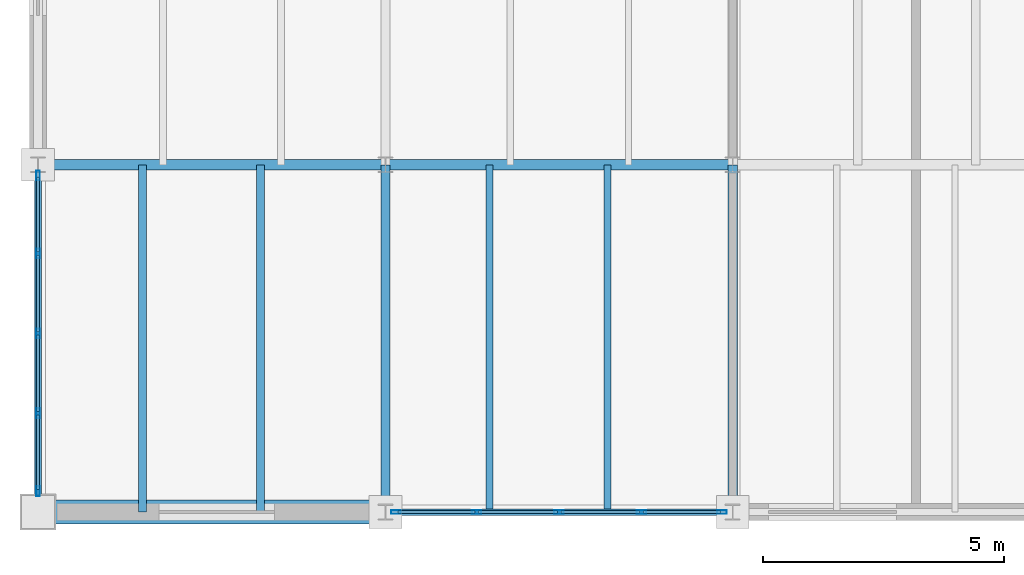
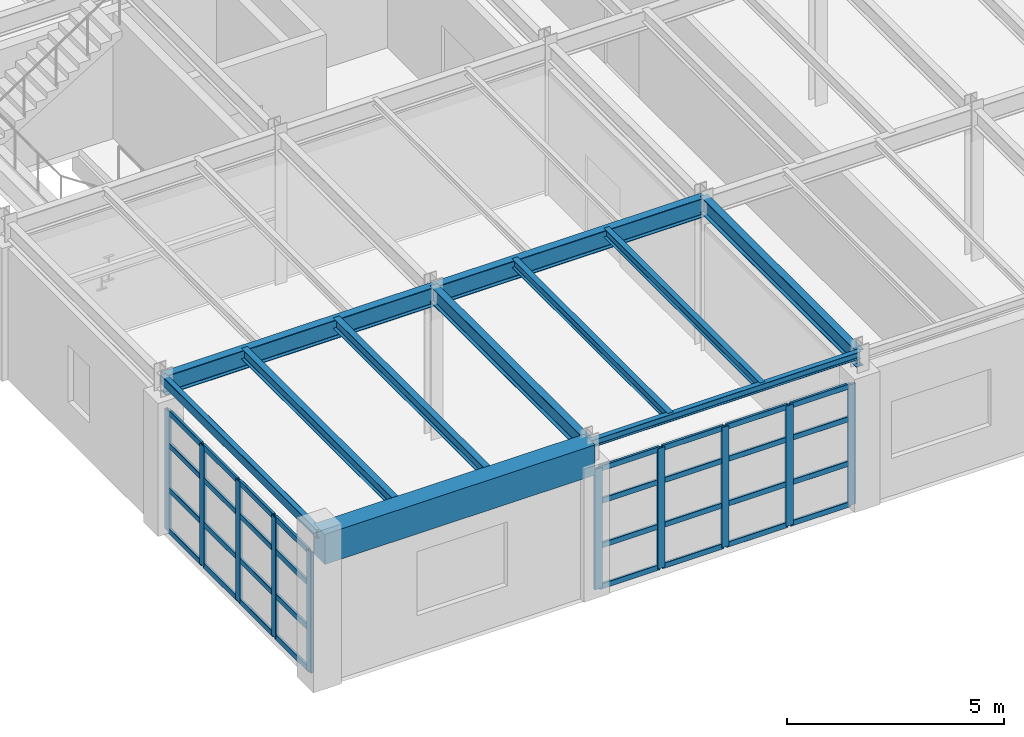
# One storey, part 21 of 137: 42 members, 11 beams, 2 elements without a shape of their own.
"""IFC4 building model written with IfcOpenShell, lengths in metres."""

from ifc_helpers import new_model, si_unit, direction, frame, origin, origin_2d, place, context, subcontext, project, spatial, rectangle, hollow_rectangle, i_section, extrude, material, layer, layer_set, material_profile, profile_set, type_object, element, aggregate, save


model = new_model("IFC4")

# Units and contexts
model_context = context("Model", 3, precision=1e-05, world=origin(), true_north=direction((0.0, 1.0)))
body_context = subcontext(model_context, "Body", "Model", "MODEL_VIEW")
ifc_project = project(units=[si_unit("LENGTHUNIT", "METRE"), si_unit("AREAUNIT", "SQUARE_METRE"), si_unit("VOLUMEUNIT", "CUBIC_METRE"), si_unit("PLANEANGLEUNIT", "RADIAN"), si_unit("MASSUNIT", "GRAM", prefix="KILO")], contexts=[model_context])

# Site, building, storey
site_placement = place(None, origin())
site = spatial("IfcSite", under=ifc_project, at=site_placement, CompositionType="ELEMENT")
building_placement = place(site_placement, origin())
building = spatial("IfcBuilding", under=site, at=building_placement, Name="Kemerveld Promenade Tramway Depot", CompositionType="ELEMENT")
storey_placement = place(building_placement, frame((0.0, 0.0, 5.39990234375)))
storey = spatial("IfcBuildingStorey", under=building, at=storey_placement, Name="L01", CompositionType="ELEMENT", Elevation=5.39990234375)

# Beams
ifc_material_1 = material(Name="Steel S355", Category="steel")
ifc_material_profile_1 = material_profile(ifc_material_1, i_section(OverallWidth=0.2099609375, OverallDepth=0.53662109375, WebThickness=0.0107421875, FlangeThickness=0.017333984375, FilletRadius=0.0126953125, at=origin_2d()), Name="533x210x101 UB")
ifc_profile_set_1 = profile_set([ifc_material_profile_1], Name="Steel S355")
beam_type_1 = type_object("IfcBeamType", Name="BM-G05", PredefinedType="BEAM", material=ifc_profile_set_1)
for number, where, z_axis, x_axis, name in (
    (1, (0.0, 7.199951171875, 3.99169921875), (1.0, 0.0, 0.0), (0.0, 1.0, 0.0), "BMX-L01-01-02-B"),
    (2, (7.199951171875, 7.199951171875, 3.99169921875), (1.0, 0.0, 0.0), (0.0, 1.0, 0.0), "BMX-L01-02-03-B"),
):
    element("IfcBeam", number, at=place(storey_placement, frame(where, z_axis=z_axis, x_axis=x_axis)), inside=storey, type_object=beam_type_1, Name=name, PredefinedType="BEAM", context=body_context, shape_type="SweptSolid", body=[
        extrude(i_section(OverallWidth=0.2099609375, OverallDepth=0.53662109375, WebThickness=0.0107421875, FlangeThickness=0.017333984375, FilletRadius=0.0126953125, at=origin_2d()), origin(), (0.0, 0.0, 1.0), 7.199951171875),
    ])
ifc_material_profile_2 = material_profile(ifc_material_1, i_section(OverallWidth=0.19140625, OverallDepth=0.4599609375, WebThickness=0.010009765625, FlangeThickness=0.01611328125, FilletRadius=0.01025390625, at=origin_2d()), Name="457x191x82 UB")
ifc_profile_set_2 = profile_set([ifc_material_profile_2], Name="Steel S355")
beam_type_2 = type_object("IfcBeamType", Name="BM-G06", PredefinedType="BEAM", material=ifc_profile_set_2)
for number, where, z_axis, x_axis, name in (
    (3, (7.199951171875, 0.0, 4.030029296875), (0.0, 1.0, 0.0), (-1.0, 0.0, 0.0), "BMY-L01-02-A-B"),
    (4, (14.39990234375, 0.0, 4.030029296875), (0.0, 1.0, 0.0), (-1.0, 0.0, 0.0), "BMY-L01-03-A-B"),
):
    element("IfcBeam", number, at=place(storey_placement, frame(where, z_axis=z_axis, x_axis=x_axis)), inside=storey, type_object=beam_type_2, Name=name, PredefinedType="BEAM", context=body_context, shape_type="SweptSolid", body=[
        extrude(i_section(OverallWidth=0.19140625, OverallDepth=0.4599609375, WebThickness=0.010009765625, FlangeThickness=0.01611328125, FilletRadius=0.01025390625, at=origin_2d()), origin(), (0.0, 0.0, 1.0), 7.199951171875),
    ])
ifc_material_profile_3 = material_profile(ifc_material_1, i_section(OverallWidth=0.13330078125, OverallDepth=0.203125, WebThickness=0.005615234375, FlangeThickness=0.0078125, FilletRadius=0.007568359375, at=origin_2d()), Name="203x133x25 UB")
ifc_profile_set_3 = profile_set([ifc_material_profile_3], Name="Steel S355")
beam_type_3 = type_object("IfcBeamType", Name="BM-G14", PredefinedType="BEAM", material=ifc_profile_set_3)
beam_1_placement = place(storey_placement, frame((7.199951171875, 0.0, 4.158447265625), z_axis=(1.0, 0.0, 0.0), x_axis=(0.0, 1.0, 0.0)))
element("IfcBeam", 5, at=beam_1_placement, inside=storey, type_object=beam_type_3, Name="BMX-L01-02-03-A", PredefinedType="BEAM", context=body_context, shape_type="SweptSolid", body=[
    extrude(i_section(OverallWidth=0.13330078125, OverallDepth=0.203125, WebThickness=0.005615234375, FlangeThickness=0.0078125, FilletRadius=0.007568359375, at=origin_2d()), origin(), (0.0, 0.0, 1.0), 7.199951171875),
])
ifc_material_profile_4 = material_profile(ifc_material_1, i_section(OverallWidth=0.165771484375, OverallDepth=0.306640625, WebThickness=0.006591796875, FlangeThickness=0.01171875, FilletRadius=0.0087890625, at=origin_2d()), Name="305x165x46 UB")
ifc_profile_set_4 = profile_set([ifc_material_profile_4], Name="Steel S355")
beam_type_4 = type_object("IfcBeamType", Name="BM-J01", PredefinedType="JOIST", material=ifc_profile_set_4)
for number, where, z_axis, x_axis, name in (
    (6, (2.159912109375, 0.0, 4.106689453125), (0.0, 1.0, 0.0), (-1.0, 0.0, 0.0), "JST-L01-01-A-1"),
    (7, (4.60791015625, 0.0, 4.106689453125), (0.0, 1.0, 0.0), (-1.0, 0.0, 0.0), "JST-L01-01-A-2"),
):
    element("IfcBeam", number, at=place(storey_placement, frame(where, z_axis=z_axis, x_axis=x_axis)), inside=storey, type_object=beam_type_4, Name=name, PredefinedType="JOIST", context=body_context, shape_type="SweptSolid", body=[
        extrude(i_section(OverallWidth=0.165771484375, OverallDepth=0.306640625, WebThickness=0.006591796875, FlangeThickness=0.01171875, FilletRadius=0.0087890625, at=origin_2d()), origin(), (0.0, 0.0, 1.0), 7.199951171875),
    ])
ifc_material_profile_5 = material_profile(ifc_material_1, i_section(OverallWidth=0.146484375, OverallDepth=0.256103515625, WebThickness=0.00634765625, FlangeThickness=0.010986328125, FilletRadius=0.007568359375, at=origin_2d()), Name="254x146x37 UB")
ifc_profile_set_5 = profile_set([ifc_material_profile_5], Name="Steel S355")
beam_type_5 = type_object("IfcBeamType", Name="BM-J02", PredefinedType="JOIST", material=ifc_profile_set_5)
for number, where, z_axis, x_axis, name in (
    (8, (9.360107421875, 0.0, 4.132080078125), (0.0, 1.0, 0.0), (-1.0, 0.0, 0.0), "JST-L01-02-A-1"),
    (9, (11.80810546875, 0.0, 4.132080078125), (0.0, 1.0, 0.0), (-1.0, 0.0, 0.0), "JST-L01-02-A-2"),
):
    element("IfcBeam", number, at=place(storey_placement, frame(where, z_axis=z_axis, x_axis=x_axis)), inside=storey, type_object=beam_type_5, Name=name, PredefinedType="JOIST", context=body_context, shape_type="SweptSolid", body=[
        extrude(i_section(OverallWidth=0.146484375, OverallDepth=0.256103515625, WebThickness=0.00634765625, FlangeThickness=0.010986328125, FilletRadius=0.007568359375, at=origin_2d()), origin(), (0.0, 0.0, 1.0), 7.199951171875),
    ])
ifc_material_2 = material(Name="Concrete C40/50", Category="concrete")
ifc_material_profile_6 = material_profile(ifc_material_2, rectangle(XDim=0.5, YDim=0.85009765625, at=origin_2d()), Name="RC-BM-500x850")
ifc_profile_set_6 = profile_set([ifc_material_profile_6], Name="Concrete C40/50")
beam_type_6 = type_object("IfcBeamType", Name="BM-RC7", PredefinedType="BEAM", material=ifc_profile_set_6)
beam_2_placement = place(storey_placement, frame((0.0, 0.0, 3.835205078125), z_axis=(1.0, 0.0, 0.0), x_axis=(0.0, 1.0, 0.0)))
element("IfcBeam", 10, at=beam_2_placement, inside=storey, type_object=beam_type_6, Name="BMX-L01-01-02-A", PredefinedType="BEAM", context=body_context, shape_type="SweptSolid", body=[
    extrude(rectangle(XDim=0.5, YDim=0.85009765625, at=origin_2d()), origin(), (0.0, 0.0, 1.0), 7.199951171875),
])
ifc_material_profile_7 = material_profile(ifc_material_1, hollow_rectangle(XDim=0.14990234375, YDim=0.25, WallThickness=0.010009765625, InnerFilletRadius=0.0048828125, OuterFilletRadius=0.014892578125, at=origin_2d()), Name="250x150x10.0 RHS")
ifc_profile_set_7 = profile_set([ifc_material_profile_7], Name="Steel S355")
beam_type_7 = type_object("IfcBeamType", Name="BM-SP2", PredefinedType="SPANDREL", material=ifc_profile_set_7)
beam_3_placement = place(storey_placement, frame((0.0, 0.0, 4.135009765625), z_axis=(0.0, 1.0, 0.0), x_axis=(-1.0, 0.0, 0.0)))
element("IfcBeam", 11, at=beam_3_placement, inside=storey, type_object=beam_type_7, Name="BMY-L01-01-A-B", PredefinedType="SPANDREL", context=body_context, shape_type="SweptSolid", body=[
    extrude(hollow_rectangle(XDim=0.14990234375, YDim=0.25, WallThickness=0.010009765625, InnerFilletRadius=0.0048828125, OuterFilletRadius=0.014892578125, at=origin_2d()), origin(), (0.0, 0.0, 1.0), 7.199951171875),
])

# Curtain wall, members
ifc_material_3 = material(Name="Bronze anodised aluminium and solar glass", Category="aluminium")
ifc_layer_1 = layer(ifc_material_3, 0.199951171875)
ifc_layer_set_1 = layer_set([ifc_layer_1], Name="CW-SYS-04")
curtain_wall_type_1 = type_object("IfcCurtainWallType", Name="CW-SYS-04", PredefinedType="USERDEFINED", material=ifc_layer_set_1)
curtain_wall_1_placement = place(storey_placement, origin())
curtain_wall_1 = element("IfcCurtainWall", 12, at=curtain_wall_1_placement, inside=storey, type_object=curtain_wall_type_1, Name="CW-L01-V5W-01", ObjectType="GLAZED_CURTAIN_WALL", PredefinedType="USERDEFINED")
ifc_material_4 = material(Name="Bronze anodised aluminium", Category="aluminium")
ifc_material_profile_8 = material_profile(ifc_material_4, hollow_rectangle(XDim=0.074951171875, YDim=0.199951171875, WallThickness=0.0048828125, InnerFilletRadius=0.001953125, OuterFilletRadius=0.0048828125, at=origin_2d()), Name="CW-MUL-200x75")
ifc_profile_set_8 = profile_set([ifc_material_profile_8], Name="Bronze anodised aluminium")
member_type_1 = type_object("IfcMemberType", Name="CW-MUL-B", PredefinedType="MULLION", material=ifc_profile_set_8)
member_1_placement = place(storey_placement, frame((0.0, 0.4326171875, 0.0), z_axis=(0.0, 0.0, 1.0), x_axis=(-1.0, 0.0, 0.0)))
member_1 = element("IfcMember", 13, at=member_1_placement, type_object=member_type_1, Name="CW04 mullion 1", PredefinedType="MULLION", context=body_context, shape_type="SweptSolid", body=[
    extrude(hollow_rectangle(XDim=0.074951171875, YDim=0.199951171875, WallThickness=0.0048828125, InnerFilletRadius=0.001953125, OuterFilletRadius=0.0048828125, at=origin_2d()), origin(), (0.0, 0.0, 1.0), 3.39013671875),
])
member_2_placement = place(storey_placement, frame((0.0, 2.05029296875, 0.0), z_axis=(0.0, 0.0, 1.0), x_axis=(-1.0, 0.0, 0.0)))
member_2 = element("IfcMember", 14, at=member_2_placement, type_object=member_type_1, Name="CW04 mullion 2", PredefinedType="MULLION", context=body_context, shape_type="SweptSolid", body=[
    extrude(hollow_rectangle(XDim=0.074951171875, YDim=0.199951171875, WallThickness=0.0048828125, InnerFilletRadius=0.001953125, OuterFilletRadius=0.0048828125, at=origin_2d()), origin(), (0.0, 0.0, 1.0), 3.39013671875),
])
member_3_placement = place(storey_placement, frame((0.0, 3.705810546875, 0.0), z_axis=(0.0, 0.0, 1.0), x_axis=(-1.0, 0.0, 0.0)))
member_3 = element("IfcMember", 15, at=member_3_placement, type_object=member_type_1, Name="CW04 mullion 3", PredefinedType="MULLION", context=body_context, shape_type="SweptSolid", body=[
    extrude(hollow_rectangle(XDim=0.074951171875, YDim=0.199951171875, WallThickness=0.0048828125, InnerFilletRadius=0.001953125, OuterFilletRadius=0.0048828125, at=origin_2d()), origin(), (0.0, 0.0, 1.0), 3.39013671875),
])
member_4_placement = place(storey_placement, frame((0.0, 5.361083984375, 0.0), z_axis=(0.0, 0.0, 1.0), x_axis=(-1.0, 0.0, 0.0)))
member_4 = element("IfcMember", 16, at=member_4_placement, type_object=member_type_1, Name="CW04 mullion 4", PredefinedType="MULLION", context=body_context, shape_type="SweptSolid", body=[
    extrude(hollow_rectangle(XDim=0.074951171875, YDim=0.199951171875, WallThickness=0.0048828125, InnerFilletRadius=0.001953125, OuterFilletRadius=0.0048828125, at=origin_2d()), origin(), (0.0, 0.0, 1.0), 3.39013671875),
])
member_5_placement = place(storey_placement, frame((0.0, 6.97900390625, 0.0), z_axis=(0.0, 0.0, 1.0), x_axis=(-1.0, 0.0, 0.0)))
member_5 = element("IfcMember", 17, at=member_5_placement, type_object=member_type_1, Name="CW04 mullion 5", PredefinedType="MULLION", context=body_context, shape_type="SweptSolid", body=[
    extrude(hollow_rectangle(XDim=0.074951171875, YDim=0.199951171875, WallThickness=0.0048828125, InnerFilletRadius=0.001953125, OuterFilletRadius=0.0048828125, at=origin_2d()), origin(), (0.0, 0.0, 1.0), 3.39013671875),
])

ifc_layer_2 = layer(ifc_material_3, 0.199951171875)
ifc_layer_set_2 = layer_set([ifc_layer_2], Name="CW-SYS-10")
curtain_wall_type_2 = type_object("IfcCurtainWallType", Name="CW-SYS-10", PredefinedType="USERDEFINED", material=ifc_layer_set_2)
curtain_wall_2_placement = place(storey_placement, origin())
curtain_wall_2 = element("IfcCurtainWall", 18, at=curtain_wall_2_placement, inside=storey, type_object=curtain_wall_type_2, Name="CW-L01-V5S-07", ObjectType="GLAZED_CURTAIN_WALL", PredefinedType="USERDEFINED")
member_6_placement = place(storey_placement, frame((14.178955078125, 0.0, 0.0), z_axis=(0.0, 0.0, 1.0), x_axis=(0.0, -1.0, 0.0)))
member_6 = element("IfcMember", 19, at=member_6_placement, type_object=member_type_1, Name="CW10 mullion 1", PredefinedType="MULLION", context=body_context, shape_type="SweptSolid", body=[
    extrude(hollow_rectangle(XDim=0.074951171875, YDim=0.199951171875, WallThickness=0.0048828125, InnerFilletRadius=0.001953125, OuterFilletRadius=0.0048828125, at=origin_2d()), origin(), (0.0, 0.0, 1.0), 3.39013671875),
])
member_7_placement = place(storey_placement, frame((12.50830078125, 0.0, 0.0), z_axis=(0.0, 0.0, 1.0), x_axis=(0.0, -1.0, 0.0)))
member_7 = element("IfcMember", 20, at=member_7_placement, type_object=member_type_1, Name="CW10 mullion 2", PredefinedType="MULLION", context=body_context, shape_type="SweptSolid", body=[
    extrude(hollow_rectangle(XDim=0.074951171875, YDim=0.199951171875, WallThickness=0.0048828125, InnerFilletRadius=0.001953125, OuterFilletRadius=0.0048828125, at=origin_2d()), origin(), (0.0, 0.0, 1.0), 3.39013671875),
])
member_8_placement = place(storey_placement, frame((10.800048828125, 0.0, 0.0), z_axis=(0.0, 0.0, 1.0), x_axis=(0.0, -1.0, 0.0)))
member_8 = element("IfcMember", 21, at=member_8_placement, type_object=member_type_1, Name="CW10 mullion 3", PredefinedType="MULLION", context=body_context, shape_type="SweptSolid", body=[
    extrude(hollow_rectangle(XDim=0.074951171875, YDim=0.199951171875, WallThickness=0.0048828125, InnerFilletRadius=0.001953125, OuterFilletRadius=0.0048828125, at=origin_2d()), origin(), (0.0, 0.0, 1.0), 3.39013671875),
])
member_9_placement = place(storey_placement, frame((9.091796875, 0.0, 0.0), z_axis=(0.0, 0.0, 1.0), x_axis=(0.0, -1.0, 0.0)))
member_9 = element("IfcMember", 22, at=member_9_placement, type_object=member_type_1, Name="CW10 mullion 4", PredefinedType="MULLION", context=body_context, shape_type="SweptSolid", body=[
    extrude(hollow_rectangle(XDim=0.074951171875, YDim=0.199951171875, WallThickness=0.0048828125, InnerFilletRadius=0.001953125, OuterFilletRadius=0.0048828125, at=origin_2d()), origin(), (0.0, 0.0, 1.0), 3.39013671875),
])
member_10_placement = place(storey_placement, frame((7.421142578125, 0.0, 0.0), z_axis=(0.0, 0.0, 1.0), x_axis=(0.0, -1.0, 0.0)))
member_10 = element("IfcMember", 23, at=member_10_placement, type_object=member_type_1, Name="CW10 mullion 5", PredefinedType="MULLION", context=body_context, shape_type="SweptSolid", body=[
    extrude(hollow_rectangle(XDim=0.074951171875, YDim=0.199951171875, WallThickness=0.0048828125, InnerFilletRadius=0.001953125, OuterFilletRadius=0.0048828125, at=origin_2d()), origin(), (0.0, 0.0, 1.0), 3.39013671875),
])

# Member
ifc_material_profile_9 = material_profile(ifc_material_4, hollow_rectangle(XDim=0.06494140625, YDim=0.14990234375, WallThickness=0.00439453125, InnerFilletRadius=0.001953125, OuterFilletRadius=0.00439453125, at=origin_2d()), Name="CW-TRN-150x65")
ifc_profile_set_9 = profile_set([ifc_material_profile_9], Name="Bronze anodised aluminium")
member_type_2 = type_object("IfcMemberType", Name="CW-TRN-B", PredefinedType="USERDEFINED", material=ifc_profile_set_9)
member_11_placement = place(storey_placement, frame((0.0, 0.469970703125, 0.03271484375), z_axis=(0.0, 1.0, 0.0), x_axis=(-1.0, 0.0, 0.0)))
member_11 = element("IfcMember", 24, at=member_11_placement, type_object=member_type_2, Name="CW04 transom 1.1", ObjectType="TRANSOM", PredefinedType="USERDEFINED", context=body_context, shape_type="SweptSolid", body=[
    extrude(hollow_rectangle(XDim=0.06494140625, YDim=0.14990234375, WallThickness=0.00439453125, InnerFilletRadius=0.001953125, OuterFilletRadius=0.00439453125, at=origin_2d()), origin(), (0.0, 0.0, 1.0), 1.54296875),
])

member_12_placement = place(storey_placement, frame((0.0, 0.469970703125, 1.18701171875), z_axis=(0.0, 1.0, 0.0), x_axis=(-1.0, 0.0, 0.0)))
member_12 = element("IfcMember", 25, at=member_12_placement, type_object=member_type_2, Name="CW04 transom 1.2", ObjectType="TRANSOM", PredefinedType="USERDEFINED", context=body_context, shape_type="SweptSolid", body=[
    extrude(hollow_rectangle(XDim=0.06494140625, YDim=0.14990234375, WallThickness=0.00439453125, InnerFilletRadius=0.001953125, OuterFilletRadius=0.00439453125, at=origin_2d()), origin(), (0.0, 0.0, 1.0), 1.54296875),
])

member_13_placement = place(storey_placement, frame((0.0, 0.469970703125, 2.441162109375), z_axis=(0.0, 1.0, 0.0), x_axis=(-1.0, 0.0, 0.0)))
member_13 = element("IfcMember", 26, at=member_13_placement, type_object=member_type_2, Name="CW04 transom 1.3", ObjectType="TRANSOM", PredefinedType="USERDEFINED", context=body_context, shape_type="SweptSolid", body=[
    extrude(hollow_rectangle(XDim=0.06494140625, YDim=0.14990234375, WallThickness=0.00439453125, InnerFilletRadius=0.001953125, OuterFilletRadius=0.00439453125, at=origin_2d()), origin(), (0.0, 0.0, 1.0), 1.54296875),
])

member_14_placement = place(storey_placement, frame((0.0, 0.469970703125, 3.357666015625), z_axis=(0.0, 1.0, 0.0), x_axis=(-1.0, 0.0, 0.0)))
member_14 = element("IfcMember", 27, at=member_14_placement, type_object=member_type_2, Name="CW04 transom 1.4", ObjectType="TRANSOM", PredefinedType="USERDEFINED", context=body_context, shape_type="SweptSolid", body=[
    extrude(hollow_rectangle(XDim=0.06494140625, YDim=0.14990234375, WallThickness=0.00439453125, InnerFilletRadius=0.001953125, OuterFilletRadius=0.00439453125, at=origin_2d()), origin(), (0.0, 0.0, 1.0), 1.54296875),
])

member_15_placement = place(storey_placement, frame((0.0, 2.087890625, 0.03271484375), z_axis=(0.0, 1.0, 0.0), x_axis=(-1.0, 0.0, 0.0)))
member_15 = element("IfcMember", 28, at=member_15_placement, type_object=member_type_2, Name="CW04 transom 2.1", ObjectType="TRANSOM", PredefinedType="USERDEFINED", context=body_context, shape_type="SweptSolid", body=[
    extrude(hollow_rectangle(XDim=0.06494140625, YDim=0.14990234375, WallThickness=0.00439453125, InnerFilletRadius=0.001953125, OuterFilletRadius=0.00439453125, at=origin_2d()), origin(), (0.0, 0.0, 1.0), 1.580322265625),
])

member_16_placement = place(storey_placement, frame((0.0, 2.087890625, 1.18701171875), z_axis=(0.0, 1.0, 0.0), x_axis=(-1.0, 0.0, 0.0)))
member_16 = element("IfcMember", 29, at=member_16_placement, type_object=member_type_2, Name="CW04 transom 2.2", ObjectType="TRANSOM", PredefinedType="USERDEFINED", context=body_context, shape_type="SweptSolid", body=[
    extrude(hollow_rectangle(XDim=0.06494140625, YDim=0.14990234375, WallThickness=0.00439453125, InnerFilletRadius=0.001953125, OuterFilletRadius=0.00439453125, at=origin_2d()), origin(), (0.0, 0.0, 1.0), 1.580322265625),
])

member_17_placement = place(storey_placement, frame((0.0, 2.087890625, 2.441162109375), z_axis=(0.0, 1.0, 0.0), x_axis=(-1.0, 0.0, 0.0)))
member_17 = element("IfcMember", 30, at=member_17_placement, type_object=member_type_2, Name="CW04 transom 2.3", ObjectType="TRANSOM", PredefinedType="USERDEFINED", context=body_context, shape_type="SweptSolid", body=[
    extrude(hollow_rectangle(XDim=0.06494140625, YDim=0.14990234375, WallThickness=0.00439453125, InnerFilletRadius=0.001953125, OuterFilletRadius=0.00439453125, at=origin_2d()), origin(), (0.0, 0.0, 1.0), 1.580322265625),
])

member_18_placement = place(storey_placement, frame((0.0, 2.087890625, 3.357666015625), z_axis=(0.0, 1.0, 0.0), x_axis=(-1.0, 0.0, 0.0)))
member_18 = element("IfcMember", 31, at=member_18_placement, type_object=member_type_2, Name="CW04 transom 2.4", ObjectType="TRANSOM", PredefinedType="USERDEFINED", context=body_context, shape_type="SweptSolid", body=[
    extrude(hollow_rectangle(XDim=0.06494140625, YDim=0.14990234375, WallThickness=0.00439453125, InnerFilletRadius=0.001953125, OuterFilletRadius=0.00439453125, at=origin_2d()), origin(), (0.0, 0.0, 1.0), 1.580322265625),
])

member_19_placement = place(storey_placement, frame((0.0, 3.7431640625, 0.03271484375), z_axis=(0.0, 1.0, 0.0), x_axis=(-1.0, 0.0, 0.0)))
member_19 = element("IfcMember", 32, at=member_19_placement, type_object=member_type_2, Name="CW04 transom 3.1", ObjectType="TRANSOM", PredefinedType="USERDEFINED", context=body_context, shape_type="SweptSolid", body=[
    extrude(hollow_rectangle(XDim=0.06494140625, YDim=0.14990234375, WallThickness=0.00439453125, InnerFilletRadius=0.001953125, OuterFilletRadius=0.00439453125, at=origin_2d()), origin(), (0.0, 0.0, 1.0), 1.580322265625),
])

member_20_placement = place(storey_placement, frame((0.0, 3.7431640625, 1.18701171875), z_axis=(0.0, 1.0, 0.0), x_axis=(-1.0, 0.0, 0.0)))
member_20 = element("IfcMember", 33, at=member_20_placement, type_object=member_type_2, Name="CW04 transom 3.2", ObjectType="TRANSOM", PredefinedType="USERDEFINED", context=body_context, shape_type="SweptSolid", body=[
    extrude(hollow_rectangle(XDim=0.06494140625, YDim=0.14990234375, WallThickness=0.00439453125, InnerFilletRadius=0.001953125, OuterFilletRadius=0.00439453125, at=origin_2d()), origin(), (0.0, 0.0, 1.0), 1.580322265625),
])

member_21_placement = place(storey_placement, frame((0.0, 3.7431640625, 2.441162109375), z_axis=(0.0, 1.0, 0.0), x_axis=(-1.0, 0.0, 0.0)))
member_21 = element("IfcMember", 34, at=member_21_placement, type_object=member_type_2, Name="CW04 transom 3.3", ObjectType="TRANSOM", PredefinedType="USERDEFINED", context=body_context, shape_type="SweptSolid", body=[
    extrude(hollow_rectangle(XDim=0.06494140625, YDim=0.14990234375, WallThickness=0.00439453125, InnerFilletRadius=0.001953125, OuterFilletRadius=0.00439453125, at=origin_2d()), origin(), (0.0, 0.0, 1.0), 1.580322265625),
])

member_22_placement = place(storey_placement, frame((0.0, 3.7431640625, 3.357666015625), z_axis=(0.0, 1.0, 0.0), x_axis=(-1.0, 0.0, 0.0)))
member_22 = element("IfcMember", 35, at=member_22_placement, type_object=member_type_2, Name="CW04 transom 3.4", ObjectType="TRANSOM", PredefinedType="USERDEFINED", context=body_context, shape_type="SweptSolid", body=[
    extrude(hollow_rectangle(XDim=0.06494140625, YDim=0.14990234375, WallThickness=0.00439453125, InnerFilletRadius=0.001953125, OuterFilletRadius=0.00439453125, at=origin_2d()), origin(), (0.0, 0.0, 1.0), 1.580322265625),
])

member_23_placement = place(storey_placement, frame((0.0, 5.3984375, 0.03271484375), z_axis=(0.0, 1.0, 0.0), x_axis=(-1.0, 0.0, 0.0)))
member_23 = element("IfcMember", 36, at=member_23_placement, type_object=member_type_2, Name="CW04 transom 4.1", ObjectType="TRANSOM", PredefinedType="USERDEFINED", context=body_context, shape_type="SweptSolid", body=[
    extrude(hollow_rectangle(XDim=0.06494140625, YDim=0.14990234375, WallThickness=0.00439453125, InnerFilletRadius=0.001953125, OuterFilletRadius=0.00439453125, at=origin_2d()), origin(), (0.0, 0.0, 1.0), 1.54296875),
])

member_24_placement = place(storey_placement, frame((0.0, 5.3984375, 1.18701171875), z_axis=(0.0, 1.0, 0.0), x_axis=(-1.0, 0.0, 0.0)))
member_24 = element("IfcMember", 37, at=member_24_placement, type_object=member_type_2, Name="CW04 transom 4.2", ObjectType="TRANSOM", PredefinedType="USERDEFINED", context=body_context, shape_type="SweptSolid", body=[
    extrude(hollow_rectangle(XDim=0.06494140625, YDim=0.14990234375, WallThickness=0.00439453125, InnerFilletRadius=0.001953125, OuterFilletRadius=0.00439453125, at=origin_2d()), origin(), (0.0, 0.0, 1.0), 1.54296875),
])

member_25_placement = place(storey_placement, frame((0.0, 5.3984375, 2.441162109375), z_axis=(0.0, 1.0, 0.0), x_axis=(-1.0, 0.0, 0.0)))
member_25 = element("IfcMember", 38, at=member_25_placement, type_object=member_type_2, Name="CW04 transom 4.3", ObjectType="TRANSOM", PredefinedType="USERDEFINED", context=body_context, shape_type="SweptSolid", body=[
    extrude(hollow_rectangle(XDim=0.06494140625, YDim=0.14990234375, WallThickness=0.00439453125, InnerFilletRadius=0.001953125, OuterFilletRadius=0.00439453125, at=origin_2d()), origin(), (0.0, 0.0, 1.0), 1.54296875),
])

member_26_placement = place(storey_placement, frame((0.0, 5.3984375, 3.357666015625), z_axis=(0.0, 1.0, 0.0), x_axis=(-1.0, 0.0, 0.0)))
member_26 = element("IfcMember", 39, at=member_26_placement, type_object=member_type_2, Name="CW04 transom 4.4", ObjectType="TRANSOM", PredefinedType="USERDEFINED", context=body_context, shape_type="SweptSolid", body=[
    extrude(hollow_rectangle(XDim=0.06494140625, YDim=0.14990234375, WallThickness=0.00439453125, InnerFilletRadius=0.001953125, OuterFilletRadius=0.00439453125, at=origin_2d()), origin(), (0.0, 0.0, 1.0), 1.54296875),
])

aggregate(curtain_wall_1, [member_1, member_2, member_3, member_4, member_5, member_11, member_12, member_13, member_14, member_15, member_16, member_17, member_18, member_19, member_20, member_21, member_22, member_23, member_24, member_25, member_26])

member_27_placement = place(storey_placement, frame((14.1416015625, 0.0, 0.03271484375), z_axis=(-1.0, 0.0, 0.0), x_axis=(0.0, -1.0, 0.0)))
member_27 = element("IfcMember", 40, at=member_27_placement, type_object=member_type_2, Name="CW10 transom 1.1", ObjectType="TRANSOM", PredefinedType="USERDEFINED", context=body_context, shape_type="SweptSolid", body=[
    extrude(hollow_rectangle(XDim=0.06494140625, YDim=0.14990234375, WallThickness=0.00439453125, InnerFilletRadius=0.001953125, OuterFilletRadius=0.00439453125, at=origin_2d()), origin(), (0.0, 0.0, 1.0), 1.595947265625),
])

member_28_placement = place(storey_placement, frame((14.1416015625, 0.0, 1.18701171875), z_axis=(-1.0, 0.0, 0.0), x_axis=(0.0, -1.0, 0.0)))
member_28 = element("IfcMember", 41, at=member_28_placement, type_object=member_type_2, Name="CW10 transom 1.2", ObjectType="TRANSOM", PredefinedType="USERDEFINED", context=body_context, shape_type="SweptSolid", body=[
    extrude(hollow_rectangle(XDim=0.06494140625, YDim=0.14990234375, WallThickness=0.00439453125, InnerFilletRadius=0.001953125, OuterFilletRadius=0.00439453125, at=origin_2d()), origin(), (0.0, 0.0, 1.0), 1.595947265625),
])

member_29_placement = place(storey_placement, frame((14.1416015625, 0.0, 2.441162109375), z_axis=(-1.0, 0.0, 0.0), x_axis=(0.0, -1.0, 0.0)))
member_29 = element("IfcMember", 42, at=member_29_placement, type_object=member_type_2, Name="CW10 transom 1.3", ObjectType="TRANSOM", PredefinedType="USERDEFINED", context=body_context, shape_type="SweptSolid", body=[
    extrude(hollow_rectangle(XDim=0.06494140625, YDim=0.14990234375, WallThickness=0.00439453125, InnerFilletRadius=0.001953125, OuterFilletRadius=0.00439453125, at=origin_2d()), origin(), (0.0, 0.0, 1.0), 1.595947265625),
])

member_30_placement = place(storey_placement, frame((14.1416015625, 0.0, 3.357666015625), z_axis=(-1.0, 0.0, 0.0), x_axis=(0.0, -1.0, 0.0)))
member_30 = element("IfcMember", 43, at=member_30_placement, type_object=member_type_2, Name="CW10 transom 1.4", ObjectType="TRANSOM", PredefinedType="USERDEFINED", context=body_context, shape_type="SweptSolid", body=[
    extrude(hollow_rectangle(XDim=0.06494140625, YDim=0.14990234375, WallThickness=0.00439453125, InnerFilletRadius=0.001953125, OuterFilletRadius=0.00439453125, at=origin_2d()), origin(), (0.0, 0.0, 1.0), 1.595947265625),
])

member_31_placement = place(storey_placement, frame((12.470703125, 0.0, 0.03271484375), z_axis=(-1.0, 0.0, 0.0), x_axis=(0.0, -1.0, 0.0)))
member_31 = element("IfcMember", 44, at=member_31_placement, type_object=member_type_2, Name="CW10 transom 2.1", ObjectType="TRANSOM", PredefinedType="USERDEFINED", context=body_context, shape_type="SweptSolid", body=[
    extrude(hollow_rectangle(XDim=0.06494140625, YDim=0.14990234375, WallThickness=0.00439453125, InnerFilletRadius=0.001953125, OuterFilletRadius=0.00439453125, at=origin_2d()), origin(), (0.0, 0.0, 1.0), 1.633056640625),
])

member_32_placement = place(storey_placement, frame((12.470703125, 0.0, 1.18701171875), z_axis=(-1.0, 0.0, 0.0), x_axis=(0.0, -1.0, 0.0)))
member_32 = element("IfcMember", 45, at=member_32_placement, type_object=member_type_2, Name="CW10 transom 2.2", ObjectType="TRANSOM", PredefinedType="USERDEFINED", context=body_context, shape_type="SweptSolid", body=[
    extrude(hollow_rectangle(XDim=0.06494140625, YDim=0.14990234375, WallThickness=0.00439453125, InnerFilletRadius=0.001953125, OuterFilletRadius=0.00439453125, at=origin_2d()), origin(), (0.0, 0.0, 1.0), 1.633056640625),
])

member_33_placement = place(storey_placement, frame((12.470703125, 0.0, 2.441162109375), z_axis=(-1.0, 0.0, 0.0), x_axis=(0.0, -1.0, 0.0)))
member_33 = element("IfcMember", 46, at=member_33_placement, type_object=member_type_2, Name="CW10 transom 2.3", ObjectType="TRANSOM", PredefinedType="USERDEFINED", context=body_context, shape_type="SweptSolid", body=[
    extrude(hollow_rectangle(XDim=0.06494140625, YDim=0.14990234375, WallThickness=0.00439453125, InnerFilletRadius=0.001953125, OuterFilletRadius=0.00439453125, at=origin_2d()), origin(), (0.0, 0.0, 1.0), 1.633056640625),
])

member_34_placement = place(storey_placement, frame((12.470703125, 0.0, 3.357666015625), z_axis=(-1.0, 0.0, 0.0), x_axis=(0.0, -1.0, 0.0)))
member_34 = element("IfcMember", 47, at=member_34_placement, type_object=member_type_2, Name="CW10 transom 2.4", ObjectType="TRANSOM", PredefinedType="USERDEFINED", context=body_context, shape_type="SweptSolid", body=[
    extrude(hollow_rectangle(XDim=0.06494140625, YDim=0.14990234375, WallThickness=0.00439453125, InnerFilletRadius=0.001953125, OuterFilletRadius=0.00439453125, at=origin_2d()), origin(), (0.0, 0.0, 1.0), 1.633056640625),
])

member_35_placement = place(storey_placement, frame((10.762451171875, 0.0, 0.03271484375), z_axis=(-1.0, 0.0, 0.0), x_axis=(0.0, -1.0, 0.0)))
member_35 = element("IfcMember", 48, at=member_35_placement, type_object=member_type_2, Name="CW10 transom 3.1", ObjectType="TRANSOM", PredefinedType="USERDEFINED", context=body_context, shape_type="SweptSolid", body=[
    extrude(hollow_rectangle(XDim=0.06494140625, YDim=0.14990234375, WallThickness=0.00439453125, InnerFilletRadius=0.001953125, OuterFilletRadius=0.00439453125, at=origin_2d()), origin(), (0.0, 0.0, 1.0), 1.633056640625),
])

member_36_placement = place(storey_placement, frame((10.762451171875, 0.0, 1.18701171875), z_axis=(-1.0, 0.0, 0.0), x_axis=(0.0, -1.0, 0.0)))
member_36 = element("IfcMember", 49, at=member_36_placement, type_object=member_type_2, Name="CW10 transom 3.2", ObjectType="TRANSOM", PredefinedType="USERDEFINED", context=body_context, shape_type="SweptSolid", body=[
    extrude(hollow_rectangle(XDim=0.06494140625, YDim=0.14990234375, WallThickness=0.00439453125, InnerFilletRadius=0.001953125, OuterFilletRadius=0.00439453125, at=origin_2d()), origin(), (0.0, 0.0, 1.0), 1.633056640625),
])

member_37_placement = place(storey_placement, frame((10.762451171875, 0.0, 2.441162109375), z_axis=(-1.0, 0.0, 0.0), x_axis=(0.0, -1.0, 0.0)))
member_37 = element("IfcMember", 50, at=member_37_placement, type_object=member_type_2, Name="CW10 transom 3.3", ObjectType="TRANSOM", PredefinedType="USERDEFINED", context=body_context, shape_type="SweptSolid", body=[
    extrude(hollow_rectangle(XDim=0.06494140625, YDim=0.14990234375, WallThickness=0.00439453125, InnerFilletRadius=0.001953125, OuterFilletRadius=0.00439453125, at=origin_2d()), origin(), (0.0, 0.0, 1.0), 1.633056640625),
])

member_38_placement = place(storey_placement, frame((10.762451171875, 0.0, 3.357666015625), z_axis=(-1.0, 0.0, 0.0), x_axis=(0.0, -1.0, 0.0)))
member_38 = element("IfcMember", 51, at=member_38_placement, type_object=member_type_2, Name="CW10 transom 3.4", ObjectType="TRANSOM", PredefinedType="USERDEFINED", context=body_context, shape_type="SweptSolid", body=[
    extrude(hollow_rectangle(XDim=0.06494140625, YDim=0.14990234375, WallThickness=0.00439453125, InnerFilletRadius=0.001953125, OuterFilletRadius=0.00439453125, at=origin_2d()), origin(), (0.0, 0.0, 1.0), 1.633056640625),
])

member_39_placement = place(storey_placement, frame((9.054443359375, 0.0, 0.03271484375), z_axis=(-1.0, 0.0, 0.0), x_axis=(0.0, -1.0, 0.0)))
member_39 = element("IfcMember", 52, at=member_39_placement, type_object=member_type_2, Name="CW10 transom 4.1", ObjectType="TRANSOM", PredefinedType="USERDEFINED", context=body_context, shape_type="SweptSolid", body=[
    extrude(hollow_rectangle(XDim=0.06494140625, YDim=0.14990234375, WallThickness=0.00439453125, InnerFilletRadius=0.001953125, OuterFilletRadius=0.00439453125, at=origin_2d()), origin(), (0.0, 0.0, 1.0), 1.595947265625),
])

member_40_placement = place(storey_placement, frame((9.054443359375, 0.0, 1.18701171875), z_axis=(-1.0, 0.0, 0.0), x_axis=(0.0, -1.0, 0.0)))
member_40 = element("IfcMember", 53, at=member_40_placement, type_object=member_type_2, Name="CW10 transom 4.2", ObjectType="TRANSOM", PredefinedType="USERDEFINED", context=body_context, shape_type="SweptSolid", body=[
    extrude(hollow_rectangle(XDim=0.06494140625, YDim=0.14990234375, WallThickness=0.00439453125, InnerFilletRadius=0.001953125, OuterFilletRadius=0.00439453125, at=origin_2d()), origin(), (0.0, 0.0, 1.0), 1.595947265625),
])

member_41_placement = place(storey_placement, frame((9.054443359375, 0.0, 2.441162109375), z_axis=(-1.0, 0.0, 0.0), x_axis=(0.0, -1.0, 0.0)))
member_41 = element("IfcMember", 54, at=member_41_placement, type_object=member_type_2, Name="CW10 transom 4.3", ObjectType="TRANSOM", PredefinedType="USERDEFINED", context=body_context, shape_type="SweptSolid", body=[
    extrude(hollow_rectangle(XDim=0.06494140625, YDim=0.14990234375, WallThickness=0.00439453125, InnerFilletRadius=0.001953125, OuterFilletRadius=0.00439453125, at=origin_2d()), origin(), (0.0, 0.0, 1.0), 1.595947265625),
])

member_42_placement = place(storey_placement, frame((9.054443359375, 0.0, 3.357666015625), z_axis=(-1.0, 0.0, 0.0), x_axis=(0.0, -1.0, 0.0)))
member_42 = element("IfcMember", 55, at=member_42_placement, type_object=member_type_2, Name="CW10 transom 4.4", ObjectType="TRANSOM", PredefinedType="USERDEFINED", context=body_context, shape_type="SweptSolid", body=[
    extrude(hollow_rectangle(XDim=0.06494140625, YDim=0.14990234375, WallThickness=0.00439453125, InnerFilletRadius=0.001953125, OuterFilletRadius=0.00439453125, at=origin_2d()), origin(), (0.0, 0.0, 1.0), 1.595947265625),
])

aggregate(curtain_wall_2, [member_6, member_7, member_8, member_9, member_10, member_27, member_28, member_29, member_30, member_31, member_32, member_33, member_34, member_35, member_36, member_37, member_38, member_39, member_40, member_41, member_42])

save(model, "model.ifc")
